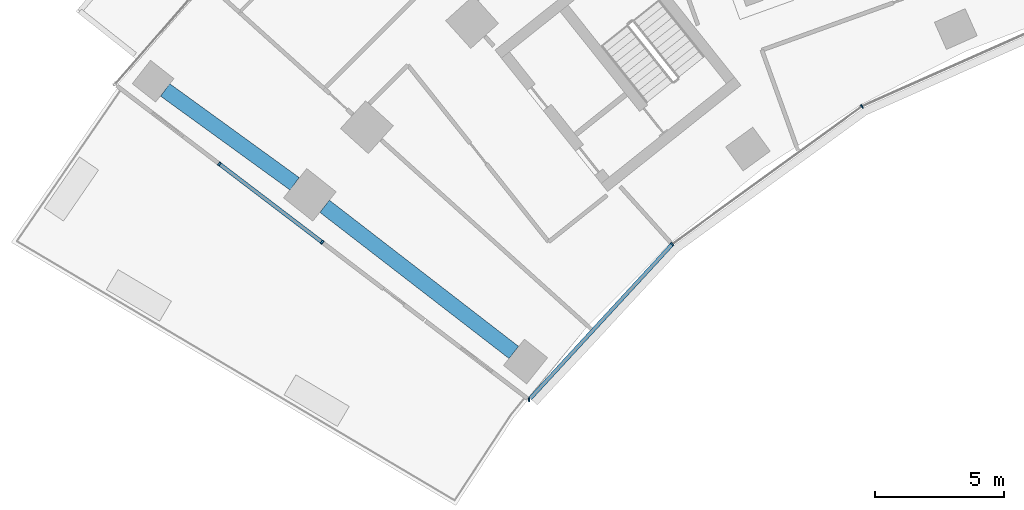
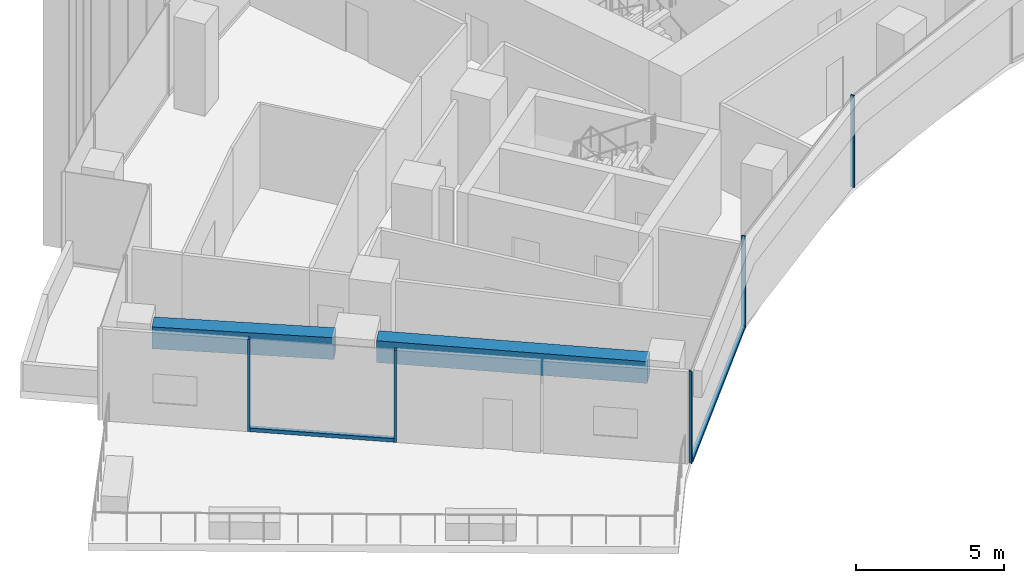
# One storey, part 2 of 21: 7 members, 2 beams, 2 elements without a shape of their own.
"""IFC4 building model written with IfcOpenShell, lengths in metres."""

from ifc_helpers import new_model, si_unit, direction, frame, origin, origin_2d, place, context, subcontext, project, spatial, rectangle, extrude, material, layer, layer_set, material_profile, profile_set, type_object, element, aggregate, save


model = new_model("IFC4")

# Units and contexts
model_context = context("Model", 3, precision=1e-05, world=origin(), true_north=direction((0.0, 1.0)))
body_context = subcontext(model_context, "Body", "Model", "MODEL_VIEW")
ifc_project = project(units=[si_unit("LENGTHUNIT", "METRE"), si_unit("AREAUNIT", "SQUARE_METRE"), si_unit("VOLUMEUNIT", "CUBIC_METRE"), si_unit("PLANEANGLEUNIT", "RADIAN"), si_unit("MASSUNIT", "GRAM", prefix="KILO")], contexts=[model_context])

# Site, building, storey
site_placement = place(None, origin())
site = spatial("IfcSite", under=ifc_project, at=site_placement, CompositionType="ELEMENT")
building_placement = place(site_placement, origin())
building = spatial("IfcBuilding", under=site, at=building_placement, Name="Stone Belt Terrace Tower", CompositionType="ELEMENT")
storey_placement = place(building_placement, frame((0.0, 0.0, 87.0)))
storey = spatial("IfcBuildingStorey", under=building, at=storey_placement, Name="L20", CompositionType="ELEMENT", Elevation=87.0)

# Curtain wall, members
ifc_material_1 = material(Name="Aluminium 6063-T6 anodised frame", Category="aluminium")
ifc_layer_1 = layer(ifc_material_1, 0.14990234375)
ifc_layer_set_1 = layer_set([ifc_layer_1], Name="CW-B unitised concave-face curtain wall")
curtain_wall_type_1 = type_object("IfcCurtainWallType", Name="CW-B unitised concave-face curtain wall", PredefinedType="NOTDEFINED", material=ifc_layer_set_1)
curtain_wall_1_placement = place(storey_placement, origin())
curtain_wall_1 = element("IfcCurtainWall", 1, at=curtain_wall_1_placement, inside=storey, type_object=curtain_wall_type_1, Name="CW-B concave face L20", PredefinedType="NOTDEFINED")
ifc_material_profile_1 = material_profile(ifc_material_1, rectangle(XDim=0.14990234375, YDim=0.050048828125, at=origin_2d()), Name="Aluminium 6063-T6 50x150")
ifc_profile_set_1 = profile_set([ifc_material_profile_1], Name="Aluminium 6063-T6 anodised frame")
member_type_1 = type_object("IfcMemberType", Name="CW-B mullion 50 x 150", PredefinedType="MULLION", material=ifc_profile_set_1)
member_1_placement = place(storey_placement, frame((-34.599853515625, 26.252197265625, 0.0), z_axis=(0.0, 0.0, 1.0), x_axis=(-0.087748408803, 0.996142668875, 0.0)))
member_1 = element("IfcMember", 2, at=member_1_placement, type_object=member_type_1, Name="CW-B mullion 1", PredefinedType="MULLION", context=body_context, shape_type="SweptSolid", body=[
    extrude(rectangle(XDim=0.14990234375, YDim=0.050048828125, at=origin_2d()), origin(), (0.0, 0.0, 1.0), 3.800048828125),
])
member_2_placement = place(storey_placement, frame((-29.05712890625, 32.2705078125, 0.0), z_axis=(0.0, 0.0, 1.0), x_axis=(-0.664943998932, 0.746893217458, 0.0)))
member_2 = element("IfcMember", 3, at=member_2_placement, type_object=member_type_1, Name="CW-B mullion 2", PredefinedType="MULLION", context=body_context, shape_type="SweptSolid", body=[
    extrude(rectangle(XDim=0.14990234375, YDim=0.050048828125, at=origin_2d()), origin(), (0.0, 0.0, 1.0), 3.800048828125),
])
member_3_placement = place(storey_placement, frame((-21.71240234375, 37.606689453125, 0.0), z_axis=(0.0, 0.0, 1.0), x_axis=(-0.5, 0.866025403784, 0.0)))
member_3 = element("IfcMember", 4, at=member_3_placement, type_object=member_type_1, Name="CW-B mullion 3", PredefinedType="MULLION", context=body_context, shape_type="SweptSolid", body=[
    extrude(rectangle(XDim=0.14990234375, YDim=0.050048828125, at=origin_2d()), origin(), (0.0, 0.0, 1.0), 3.800048828125),
])
ifc_material_profile_2 = material_profile(ifc_material_1, rectangle(XDim=0.14990234375, YDim=0.1201171875, at=origin_2d()), Name="Aluminium 6063-T6 150x120")
ifc_profile_set_2 = profile_set([ifc_material_profile_2], Name="Aluminium 6063-T6 anodised frame")
member_type_2 = type_object("IfcMemberType", Name="CW-B transom 120 x 150", PredefinedType="USERDEFINED", material=ifc_profile_set_2)
member_4_placement = place(storey_placement, frame((-34.552978515625, 26.302978515625, 0.06005859375), z_axis=(0.677443921984, 0.73557442354, 0.0), x_axis=(-0.73557442354, 0.677443921984, 0.0)))
member_4 = element("IfcMember", 5, at=member_4_placement, type_object=member_type_2, Name="CW-B transom 1.1", ObjectType="TRANSOM", PredefinedType="USERDEFINED", context=body_context, shape_type="SweptSolid", body=[
    extrude(rectangle(XDim=0.14990234375, YDim=0.1201171875, at=origin_2d()), origin(), (0.0, 0.0, 1.0), 8.08056640625),
])
aggregate(curtain_wall_1, [member_1, member_2, member_3, member_4])

ifc_layer_2 = layer(ifc_material_1, 0.14990234375)
ifc_layer_set_2 = layer_set([ifc_layer_2], Name="CW-E conservatory and damper hall curtain wall")
curtain_wall_type_2 = type_object("IfcCurtainWallType", Name="CW-E conservatory and damper hall curtain wall", PredefinedType="NOTDEFINED", material=ifc_layer_set_2)
curtain_wall_2_placement = place(storey_placement, origin())
curtain_wall_2 = element("IfcCurtainWall", 6, at=curtain_wall_2_placement, inside=storey, type_object=curtain_wall_type_2, Name="CW-E end face L20", PredefinedType="NOTDEFINED")
ifc_material_profile_3 = material_profile(ifc_material_1, rectangle(XDim=0.14990234375, YDim=0.080078125, at=origin_2d()), Name="Aluminium 6063-T6 80x150")
ifc_profile_set_3 = profile_set([ifc_material_profile_3], Name="Aluminium 6063-T6 anodised frame")
member_type_3 = type_object("IfcMemberType", Name="CW-E mullion 80 x 150", PredefinedType="MULLION", material=ifc_profile_set_3)
member_5_placement = place(storey_placement, frame((-46.588134765625, 35.380859375, 0.0), z_axis=(0.0, 0.0, 1.0), x_axis=(0.605820156644, 0.795601620036, 0.0)))
member_5 = element("IfcMember", 7, at=member_5_placement, type_object=member_type_3, Name="CW-E mullion 2", PredefinedType="MULLION", context=body_context, shape_type="SweptSolid", body=[
    extrude(rectangle(XDim=0.14990234375, YDim=0.080078125, at=origin_2d()), origin(), (0.0, 0.0, 1.0), 3.800048828125),
])
member_6_placement = place(storey_placement, frame((-42.610107421875, 32.351806640625, 0.0), z_axis=(0.0, 0.0, 1.0), x_axis=(0.605820156644, 0.795601620036, 0.0)))
member_6 = element("IfcMember", 8, at=member_6_placement, type_object=member_type_3, Name="CW-E mullion 3", PredefinedType="MULLION", context=body_context, shape_type="SweptSolid", body=[
    extrude(rectangle(XDim=0.14990234375, YDim=0.080078125, at=origin_2d()), origin(), (0.0, 0.0, 1.0), 3.800048828125),
])
ifc_material_profile_4 = material_profile(ifc_material_1, rectangle(XDim=0.14990234375, YDim=0.14990234375, at=origin_2d()), Name="Aluminium 6063-T6 150x150")
ifc_profile_set_4 = profile_set([ifc_material_profile_4], Name="Aluminium 6063-T6 anodised frame")
member_type_4 = type_object("IfcMemberType", Name="CW-E transom 150 x 150", PredefinedType="USERDEFINED", material=ifc_profile_set_4)
member_7_placement = place(storey_placement, frame((-46.556396484375, 35.356689453125, 0.074951171875), z_axis=(0.795608239765, -0.605811463096, 0.0), x_axis=(0.605811463096, 0.795608239765, 0.0)))
member_7 = element("IfcMember", 9, at=member_7_placement, type_object=member_type_4, Name="CW-E transom 2.1", ObjectType="TRANSOM", PredefinedType="USERDEFINED", context=body_context, shape_type="SweptSolid", body=[
    extrude(rectangle(XDim=0.14990234375, YDim=0.14990234375, at=origin_2d()), origin(), (0.0, 0.0, 1.0), 4.920166015625),
])
aggregate(curtain_wall_2, [member_5, member_6, member_7])

# Beams
ifc_material_2 = material(Name="Concrete B60", Category="concrete")
ifc_material_profile_5 = material_profile(ifc_material_2, rectangle(XDim=0.60009765625, YDim=0.89990234375, at=origin_2d()), Name="RC 600x900")
ifc_profile_set_5 = profile_set([ifc_material_profile_5], Name="Concrete B60")
beam_type = type_object("IfcBeamType", Name="Edge beam RC 600x900 B60", PredefinedType="SPANDREL", material=ifc_profile_set_5)
beam_1_placement = place(storey_placement, frame((-35.1884765625, 28.081787109375, 3.030029296875), z_axis=(-0.791285581483, 0.61144675037, 0.0), x_axis=(-0.61144675037, -0.791285581483, 0.0)))
element("IfcBeam", 10, at=beam_1_placement, inside=storey, type_object=beam_type, Name="Edge beam L20 A P to Q", PredefinedType="SPANDREL", context=body_context, shape_type="SweptSolid", body=[
    extrude(rectangle(XDim=0.60009765625, YDim=0.89990234375, at=origin_2d()), origin(), (0.0, 0.0, 1.0), 9.255859375),
])
beam_2_placement = place(storey_placement, frame((-43.673583984375, 34.610595703125, 3.030029296875), z_axis=(-0.809517715387, 0.587095450905, 0.0), x_axis=(-0.587095450905, -0.809517715387, 0.0)))
element("IfcBeam", 11, at=beam_2_placement, inside=storey, type_object=beam_type, Name="Edge beam L20 A Q to R", PredefinedType="SPANDREL", context=body_context, shape_type="SweptSolid", body=[
    extrude(rectangle(XDim=0.60009765625, YDim=0.89990234375, at=origin_2d()), origin(), (0.0, 0.0, 1.0), 6.194091796875),
])

save(model, "model.ifc")
